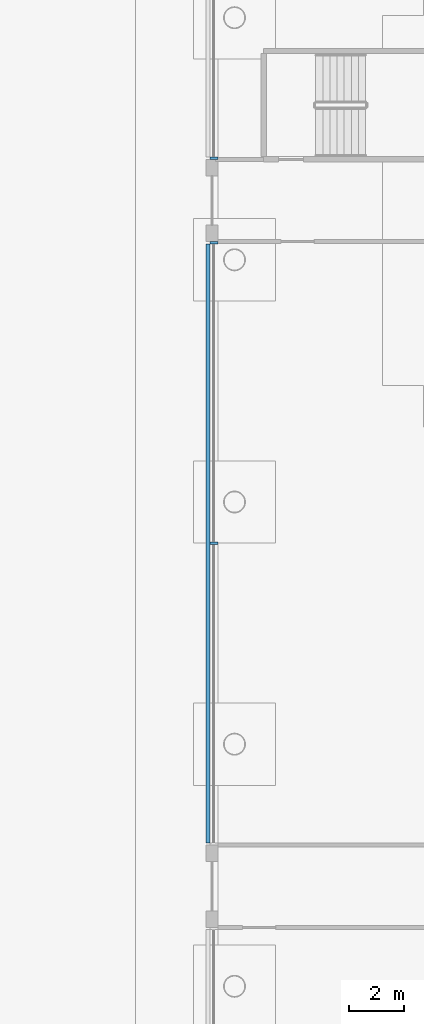
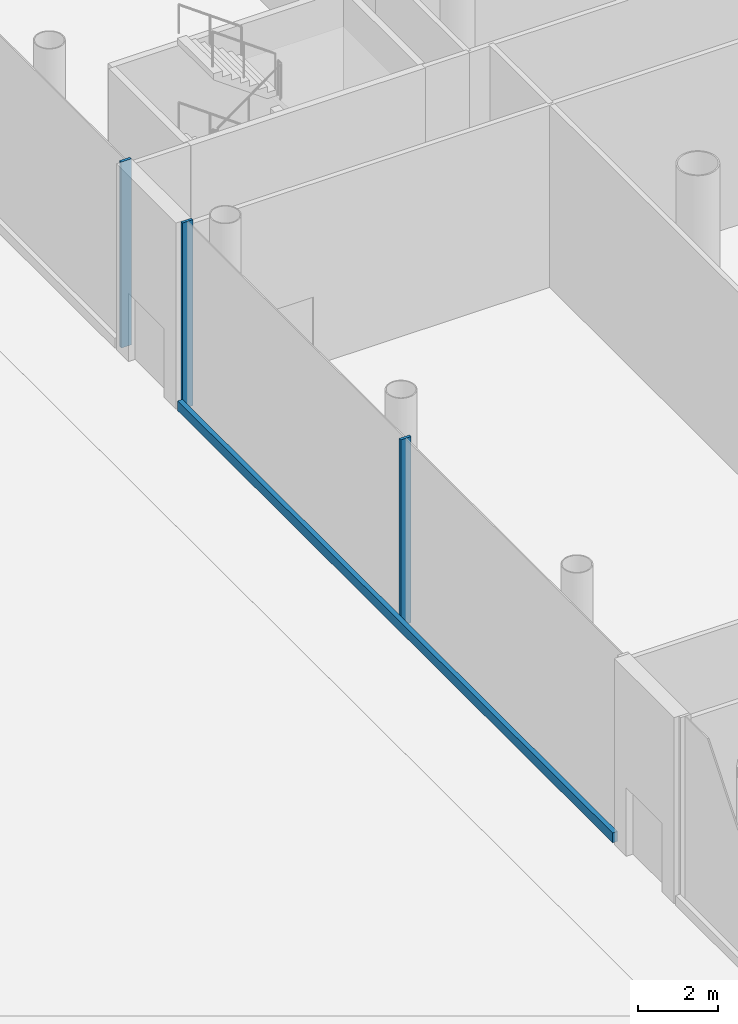
# One storey, part 8 of 75: 4 members, 2 elements without a shape of their own.
"""IFC4 building model written with IfcOpenShell, lengths in metres."""

from ifc_helpers import new_model, si_unit, direction, frame, origin, origin_2d, place, context, subcontext, project, spatial, rectangle, extrude, material, layer, layer_set, material_profile, profile_set, type_object, element, aggregate, save


model = new_model("IFC4")

# Units and contexts
model_context = context("Model", 3, precision=1e-05, world=origin(), true_north=direction((0.0, 1.0)))
body_context = subcontext(model_context, "Body", "Model", "MODEL_VIEW")
ifc_project = project(units=[si_unit("LENGTHUNIT", "METRE"), si_unit("AREAUNIT", "SQUARE_METRE"), si_unit("VOLUMEUNIT", "CUBIC_METRE"), si_unit("PLANEANGLEUNIT", "RADIAN"), si_unit("MASSUNIT", "GRAM", prefix="KILO")], contexts=[model_context])

# Site, building, storey
site_placement = place(None, origin())
site = spatial("IfcSite", under=ifc_project, at=site_placement, CompositionType="ELEMENT")
building_placement = place(site_placement, origin())
building = spatial("IfcBuilding", under=site, at=building_placement, Name="Ipe Terrace Towers", CompositionType="ELEMENT")
storey_placement = place(building_placement, origin())
storey = spatial("IfcBuildingStorey", under=building, at=storey_placement, Name="L00", CompositionType="ELEMENT", Elevation=0.0)

# Curtain wall, member
ifc_material_1 = material(Name="Aluminium alloy 6063-T6", Category="aluminium")
ifc_layer = layer(ifc_material_1, 0.43994140625)
ifc_layer_set = layer_set([ifc_layer], Name="PODIUM GLAZING CURTAIN WALL")
curtain_wall_type = type_object("IfcCurtainWallType", Name="PODIUM GLAZING CURTAIN WALL", PredefinedType="NOTDEFINED", material=ifc_layer_set)
curtain_wall_1_placement = place(storey_placement, origin())
curtain_wall_1 = element("IfcCurtainWall", 1, at=curtain_wall_1_placement, inside=storey, type_object=curtain_wall_type, Name="POD-CW-L00-02c curtain wall", PredefinedType="NOTDEFINED")
ifc_material_2 = material(Name="Aluminium alloy 6063-T6", Category="aluminium")
ifc_material_profile_1 = material_profile(ifc_material_2, rectangle(XDim=0.300048828125, YDim=0.080078125, at=origin_2d()), Name="PODIUM GLAZING MULLION 300 x 80")
ifc_profile_set_1 = profile_set([ifc_material_profile_1], Name="Aluminium alloy 6063-T6")
member_type_1 = type_object("IfcMemberType", Name="PODIUM GLAZING MULLION 300 x 80", PredefinedType="MULLION", material=ifc_profile_set_1)
member_1_placement = place(storey_placement, frame((-69.89990234375, 1.5400390625, 0.0), z_axis=(0.0, 0.0, 1.0), x_axis=(-1.0, 0.0, 0.0)))
member_1 = element("IfcMember", 2, at=member_1_placement, type_object=member_type_1, Name="POD-CW-L00-02c mullion 4", PredefinedType="MULLION", context=body_context, shape_type="SweptSolid", body=[
    extrude(rectangle(XDim=0.300048828125, YDim=0.080078125, at=origin_2d()), origin(), (0.0, 0.0, 1.0), 5.699951171875),
])
aggregate(curtain_wall_1, [member_1])

# Curtain wall, members
curtain_wall_2_placement = place(storey_placement, origin())
curtain_wall_2 = element("IfcCurtainWall", 3, at=curtain_wall_2_placement, inside=storey, type_object=curtain_wall_type, Name="POD-CW-L00-02e curtain wall", PredefinedType="NOTDEFINED")
member_2_placement = place(storey_placement, frame((-69.89990234375, -1.5400390625, 0.0), z_axis=(0.0, 0.0, 1.0), x_axis=(-1.0, 0.0, 0.0)))
member_2 = element("IfcMember", 4, at=member_2_placement, type_object=member_type_1, Name="POD-CW-L00-02e mullion 1", PredefinedType="MULLION", context=body_context, shape_type="SweptSolid", body=[
    extrude(rectangle(XDim=0.300048828125, YDim=0.080078125, at=origin_2d()), origin(), (0.0, 0.0, 1.0), 5.699951171875),
])
member_3_placement = place(storey_placement, frame((-69.89990234375, -12.5, 0.0), z_axis=(0.0, 0.0, 1.0), x_axis=(-1.0, 0.0, 0.0)))
member_3 = element("IfcMember", 5, at=member_3_placement, type_object=member_type_1, Name="POD-CW-L00-02e mullion 2", PredefinedType="MULLION", context=body_context, shape_type="SweptSolid", body=[
    extrude(rectangle(XDim=0.300048828125, YDim=0.080078125, at=origin_2d()), origin(), (0.0, 0.0, 1.0), 5.699951171875),
])
ifc_material_3 = material(Name="Aluminium alloy 6063-T6", Category="aluminium")
ifc_material_profile_2 = material_profile(ifc_material_3, rectangle(XDim=0.139892578125, YDim=0.300048828125, at=origin_2d()), Name="PODIUM GLAZING TRANSOM 140 x 300")
ifc_profile_set_2 = profile_set([ifc_material_profile_2], Name="Aluminium alloy 6063-T6")
member_type_2 = type_object("IfcMemberType", Name="PODIUM GLAZING TRANSOM 140 x 300", PredefinedType="USERDEFINED", material=ifc_profile_set_2)
member_4_placement = place(storey_placement, frame((-70.1201171875, -1.580078125, 0.14990234375), z_axis=(0.0, -1.0, 0.0), x_axis=(-1.0, 0.0, 0.0)))
member_4 = element("IfcMember", 6, at=member_4_placement, type_object=member_type_2, Name="POD-CW-L00-02e transom", ObjectType="TRANSOM", PredefinedType="USERDEFINED", context=body_context, shape_type="SweptSolid", body=[
    extrude(rectangle(XDim=0.139892578125, YDim=0.300048828125, at=origin_2d()), origin(), (0.0, 0.0, 1.0), 21.83984375),
])
aggregate(curtain_wall_2, [member_2, member_3, member_4])

save(model, "model.ifc")
